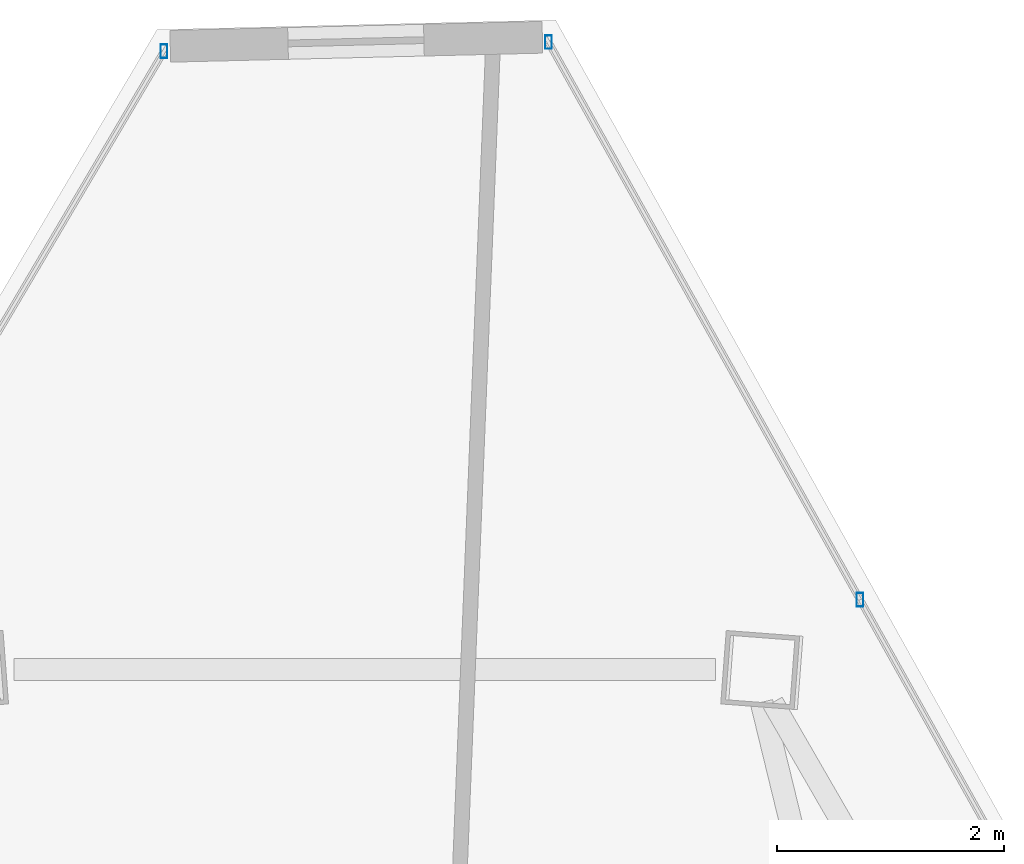
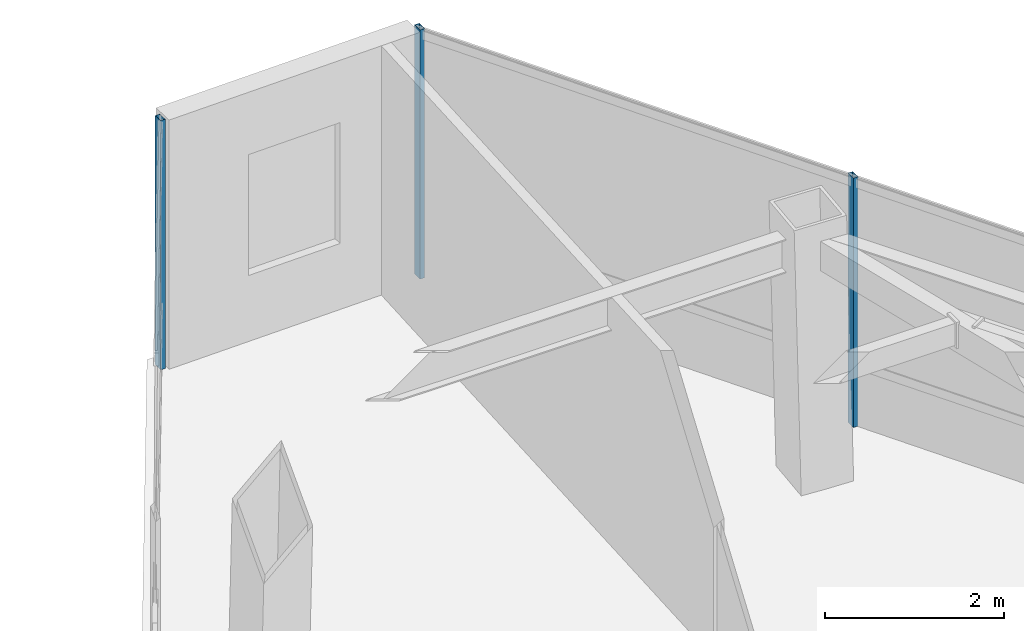
# One storey, part 36 of 48: 3 members, 2 elements without a shape of their own.
"""IFC4 building model written with IfcOpenShell, lengths in metres."""

from ifc_helpers import new_model, si_unit, direction, frame, origin, origin_2d, place, context, subcontext, project, spatial, hollow_rectangle, extrude, source, transform, mapped, material, material_profile, profile_set, type_object, type_shapes, element, aggregate, save


model = new_model("IFC4")

# Units and contexts
model_context = context("Model", 3, precision=1e-05, world=origin(), true_north=direction((0.0, 1.0)))
body_context = subcontext(model_context, "Body", "Model", "MODEL_VIEW")
ifc_project = project(units=[si_unit("LENGTHUNIT", "METRE"), si_unit("AREAUNIT", "SQUARE_METRE"), si_unit("VOLUMEUNIT", "CUBIC_METRE"), si_unit("PLANEANGLEUNIT", "RADIAN"), si_unit("MASSUNIT", "GRAM", prefix="KILO")], contexts=[model_context])

# Site, building, storey
site_placement = place(None, origin())
site = spatial("IfcSite", under=ifc_project, at=site_placement, CompositionType="ELEMENT")
building_placement = place(site_placement, origin())
building = spatial("IfcBuilding", under=site, at=building_placement, Name="Caelisora Broadcast Tower", CompositionType="ELEMENT")
storey_placement = place(building_placement, frame((0.0, 0.0, 270.0)))
storey = spatial("IfcBuildingStorey", under=building, at=storey_placement, Name="L71", CompositionType="ELEMENT", Elevation=270.0)

# Curtain wall, members
ifc_material_1 = material(Name="Unitised Aluminium and Low-E Glass Curtain Wall", Category="glass")
curtain_wall_type = type_object("IfcCurtainWallType", Name="CW-Z5", PredefinedType="NOTDEFINED", material=ifc_material_1)
curtain_wall_1_placement = place(storey_placement, origin())
curtain_wall_1 = element("IfcCurtainWall", 1, at=curtain_wall_1_placement, inside=storey, type_object=curtain_wall_type, Name="L71 curtain wall CW-Z5", PredefinedType="NOTDEFINED")
ifc_material_2 = material(Name="Aluminium 6063-T6 Anodised Terracotta Bronze", Category="aluminium")
ifc_material_profile = material_profile(ifc_material_2, hollow_rectangle(XDim=0.06005859375, YDim=0.1201171875, WallThickness=0.0029296875, at=origin_2d()), Name="Aluminium 6063-T6 Anodised Terracotta Bronze")
ifc_profile_set = profile_set([ifc_material_profile], Name="Aluminium 6063-T6 Anodised Terracotta Bronze")
member_type = type_object("IfcMemberType", Name="CWM-04", PredefinedType="MULLION", material=ifc_profile_set)
shared_shape = source(origin(), body_context, "Body", "SweptSolid", [
    extrude(hollow_rectangle(XDim=0.06005859375, YDim=0.1201171875, WallThickness=0.0029296875, at=origin_2d()), origin(), (0.0, 0.0, 1.0), 3.39990234375),
])
type_shapes(member_type, [shared_shape])
member_1_placement = place(storey_placement, frame((39.623291015625, 52.243408203125, 0.0), z_axis=(0.0, 0.0, 1.0), x_axis=(1.0, 0.0, 0.0)))
member_1 = element("IfcMember", 2, at=member_1_placement, type_object=member_type, Name="L71-CW-B01 mullion #0", PredefinedType="MULLION", context=body_context, shape_type="MappedRepresentation", body=[
    mapped(shared_shape, transform((0.0, 0.0, 0.0), scale=1.0)),
])
member_2_placement = place(storey_placement, frame((42.37353515625, 47.32080078125, 0.0), z_axis=(0.0, 0.0, 1.0), x_axis=(1.0, 0.0, 0.0)))
member_2 = element("IfcMember", 3, at=member_2_placement, type_object=member_type, Name="L71-CW-B01 mullion #1", PredefinedType="MULLION", context=body_context, shape_type="MappedRepresentation", body=[
    mapped(shared_shape, transform((0.0, 0.0, 0.0), scale=1.0)),
])
aggregate(curtain_wall_1, [member_1, member_2])

# Curtain wall, member
curtain_wall_2_placement = place(storey_placement, origin())
curtain_wall_2 = element("IfcCurtainWall", 4, at=curtain_wall_2_placement, inside=storey, type_object=curtain_wall_type, Name="L71 curtain wall CW-Z5", PredefinedType="NOTDEFINED")
member_3_placement = place(storey_placement, frame((36.228515625, 52.162841796875, 0.0), z_axis=(0.0, 0.0, 1.0), x_axis=(1.0, 0.0, 0.0)))
member_3 = element("IfcMember", 5, at=member_3_placement, type_object=member_type, Name="L71-CW-B11 mullion #3", PredefinedType="MULLION", context=body_context, shape_type="MappedRepresentation", body=[
    mapped(shared_shape, transform((0.0, 0.0, 0.0), scale=1.0)),
])
aggregate(curtain_wall_2, [member_3])

save(model, "model.ifc")
